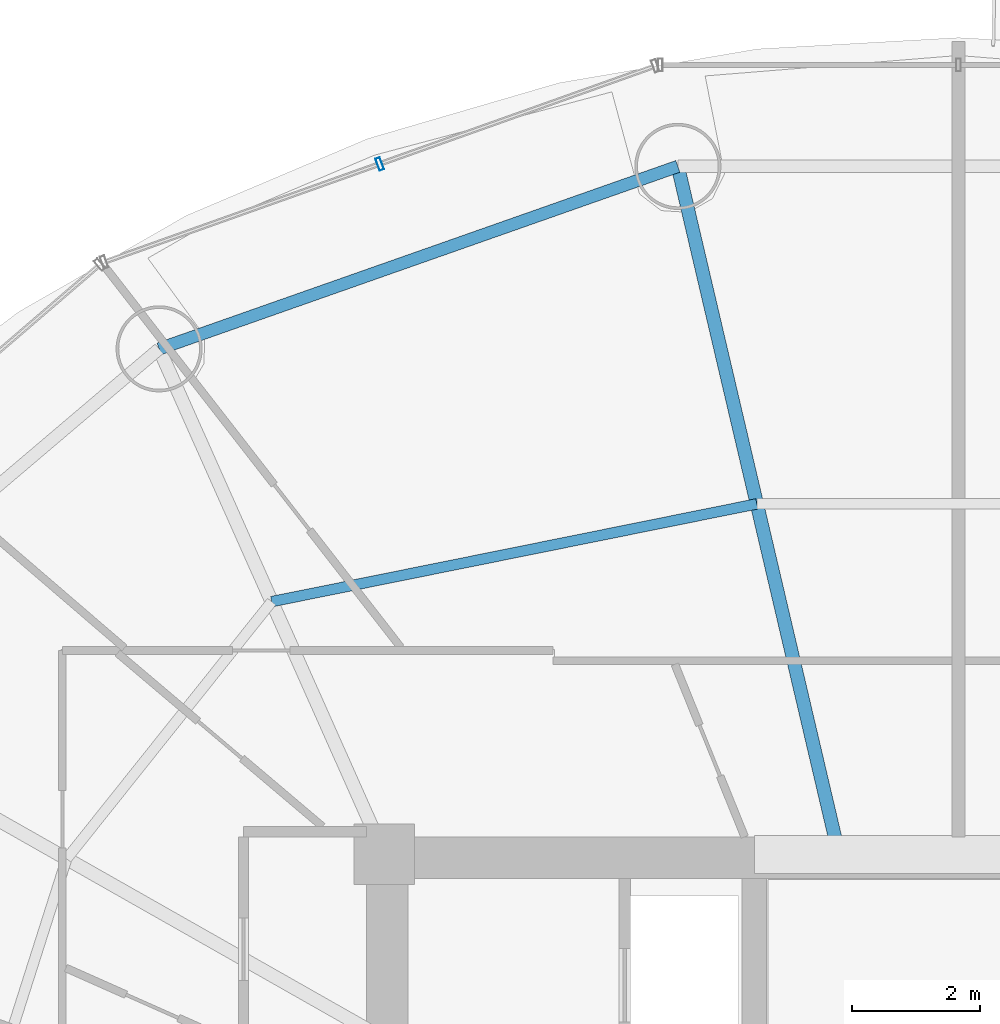
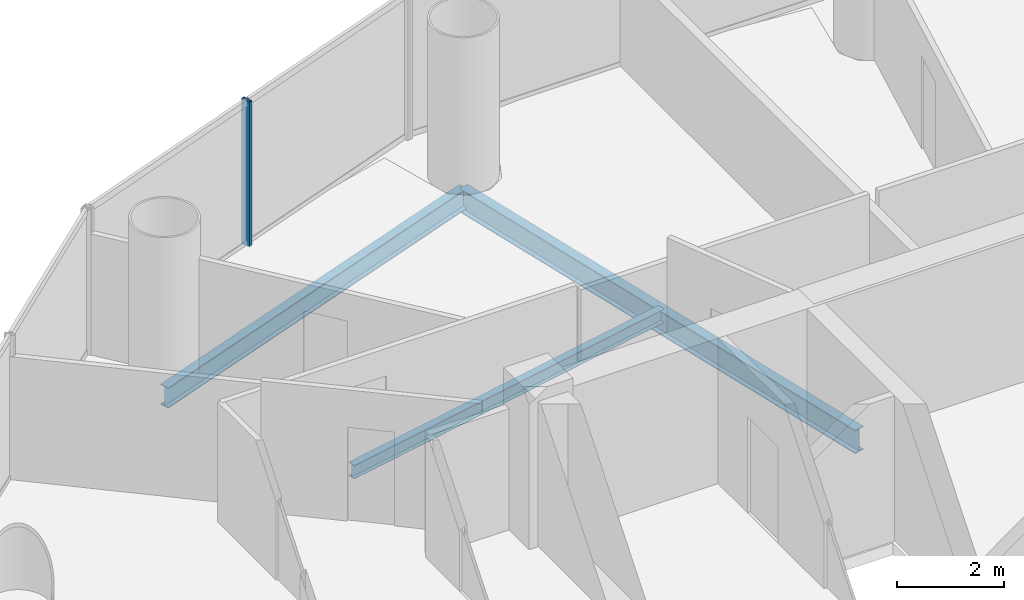
# One storey, part 15 of 27: 3 beams, 1 member, 1 element without a shape of its own.
"""IFC4 building model written with IfcOpenShell, lengths in metres."""

from ifc_helpers import new_model, si_unit, direction, frame, origin, origin_2d, place, context, subcontext, project, spatial, hollow_rectangle, i_section, extrude, source, transform, mapped, material, material_profile, profile_set, type_object, element, aggregate, save


model = new_model("IFC4")

# Units and contexts
model_context = context("Model", 3, precision=1e-05, world=origin(), true_north=direction((-0.2419218956, 0.970295726276)))
body_context = subcontext(model_context, "Body", "Model", "MODEL_VIEW")
ifc_project = project(units=[si_unit("LENGTHUNIT", "METRE"), si_unit("AREAUNIT", "SQUARE_METRE"), si_unit("VOLUMEUNIT", "CUBIC_METRE"), si_unit("PLANEANGLEUNIT", "RADIAN"), si_unit("MASSUNIT", "GRAM", prefix="KILO")], contexts=[model_context])

# Site, building, storey
site_placement = place(None, origin())
site = spatial("IfcSite", under=ifc_project, at=site_placement, CompositionType="ELEMENT")
building_placement = place(site_placement, origin())
building = spatial("IfcBuilding", under=site, at=building_placement, Name="Cobrevalo Terracotta Tower", CompositionType="ELEMENT")
storey_placement = place(building_placement, frame((0.0, 0.0, 160.60009765625)))
storey = spatial("IfcBuildingStorey", under=building, at=storey_placement, Name="L42", CompositionType="ELEMENT", Elevation=160.60009765625)

# Beams
ifc_material_1 = material(Name="Steel S355", Category="steel")
ifc_material_profile_1 = material_profile(ifc_material_1, i_section(OverallWidth=0.2109375, OverallDepth=0.5390625, WebThickness=0.01171875, FlangeThickness=0.018798828125, at=origin_2d()), Name="W 530x109")
ifc_profile_set_1 = profile_set([ifc_material_profile_1], Name="Steel S355")
beam_type_1 = type_object("IfcBeamType", Name="Structural Beam W 530x109 (Steel S355)", PredefinedType="BEAM", material=ifc_profile_set_1)
beam_1_placement = place(storey_placement, frame((33.600830078125, 45.58203125, -0.53955078125), z_axis=(0.228040864186, -0.973651562039, 0.0), x_axis=(0.973651562039, 0.228040864186, 0.0)))
element("IfcBeam", 1, at=beam_1_placement, inside=storey, type_object=beam_type_1, Name="L42 radial floor girder 05", PredefinedType="BEAM", context=body_context, shape_type="SweptSolid", body=[
    extrude(i_section(OverallWidth=0.2109375, OverallDepth=0.5390625, WebThickness=0.01171875, FlangeThickness=0.018798828125, at=origin_2d()), origin(), (0.0, 0.0, 1.0), 10.86328125),
])
ifc_material_profile_2 = material_profile(ifc_material_1, i_section(OverallWidth=0.1650390625, OverallDepth=0.31005859375, WebThickness=0.005859375, FlangeThickness=0.009765625, at=origin_2d()), Name="W 310x38.7")
ifc_profile_set_2 = profile_set([ifc_material_profile_2], Name="Steel S355")
beam_type_2 = type_object("IfcBeamType", Name="Structural Joist W 310x38.7 (Steel S355)", PredefinedType="JOIST", material=ifc_profile_set_2)
beam_2_placement = place(storey_placement, frame((34.83935546875, 40.29345703125, -0.425048828125), z_axis=(-0.980293928329, -0.197544461026, 0.0), x_axis=(0.197544461026, -0.980293928329, 0.0)))
element("IfcBeam", 2, at=beam_2_placement, inside=storey, type_object=beam_type_2, Name="L42 circumferential secondary floor joist 05", PredefinedType="JOIST", context=body_context, shape_type="SweptSolid", body=[
    extrude(i_section(OverallWidth=0.1650390625, OverallDepth=0.31005859375, WebThickness=0.005859375, FlangeThickness=0.009765625, at=origin_2d()), origin(), (0.0, 0.0, 1.0), 7.75634765625),
])
ifc_material_profile_3 = material_profile(ifc_material_1, i_section(OverallWidth=0.194091796875, OverallDepth=0.468994140625, WebThickness=0.011474609375, FlangeThickness=0.0205078125, at=origin_2d()), Name="W 460x106")
ifc_profile_set_3 = profile_set([ifc_material_profile_3], Name="Steel S355")
beam_type_3 = type_object("IfcBeamType", Name="Structural Spandrel W 460x106 (Steel S355)", PredefinedType="SPANDREL", material=ifc_profile_set_3)
beam_3_placement = place(storey_placement, frame((33.600830078125, 45.58203125, -0.504638671875), z_axis=(-0.943341298492, -0.331824041565, 0.0), x_axis=(0.331824041565, -0.943341298492, 0.0)))
element("IfcBeam", 3, at=beam_3_placement, inside=storey, type_object=beam_type_3, Name="L42 perimeter ring spandrel 05", PredefinedType="SPANDREL", context=body_context, shape_type="SweptSolid", body=[
    extrude(i_section(OverallWidth=0.194091796875, OverallDepth=0.468994140625, WebThickness=0.011474609375, FlangeThickness=0.0205078125, at=origin_2d()), origin(), (0.0, 0.0, 1.0), 8.6171875),
])

# Curtain wall, member
ifc_material_2 = material(Name="Anodized aluminium", Category="aluminium")
curtain_wall_type = type_object("IfcCurtainWallType", Name="Mid-tower high-wind unitised curtain wall CW-U2", PredefinedType="NOTDEFINED", material=ifc_material_2)
curtain_wall_placement = place(storey_placement, origin())
curtain_wall = element("IfcCurtainWall", 4, at=curtain_wall_placement, inside=storey, type_object=curtain_wall_type, Name="L42 curtain wall CW-L42-S05", PredefinedType="NOTDEFINED")
ifc_material_profile_4 = material_profile(ifc_material_2, hollow_rectangle(XDim=0.074951171875, YDim=0.199951171875, WallThickness=0.0048828125, at=origin_2d()), Name="CWM 75x200")
ifc_profile_set_4 = profile_set([ifc_material_profile_4], Name="Anodized aluminium")
member_type = type_object("IfcMemberType", Name="Lower/mid tower unitised mullion 75x200", PredefinedType="MULLION", material=ifc_profile_set_4)
shared_shape = source(origin(), body_context, "Body", "SweptSolid", [
    extrude(hollow_rectangle(XDim=0.074951171875, YDim=0.199951171875, WallThickness=0.0048828125, at=origin_2d()), origin(), (0.0, 0.0, 1.0), 3.329833984375),
])
member_placement = place(storey_placement, frame((28.92822265625, 45.620361328125, 0.0), z_axis=(0.0, 0.0, 1.0), x_axis=(-0.942098428897, -0.335336473217, 0.0)))
member = element("IfcMember", 5, at=member_placement, type_object=member_type, Name="CW-L42-S05 vertical mullion 02", PredefinedType="MULLION", context=body_context, shape_type="MappedRepresentation", body=[
    mapped(shared_shape, transform((0.0, 0.0, 0.0), scale=1.0)),
])
aggregate(curtain_wall, [member])

save(model, "model.ifc")
